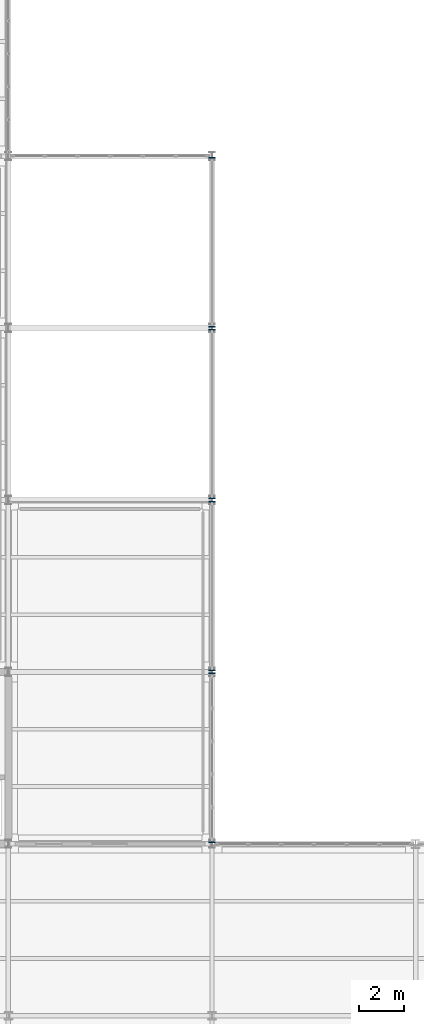
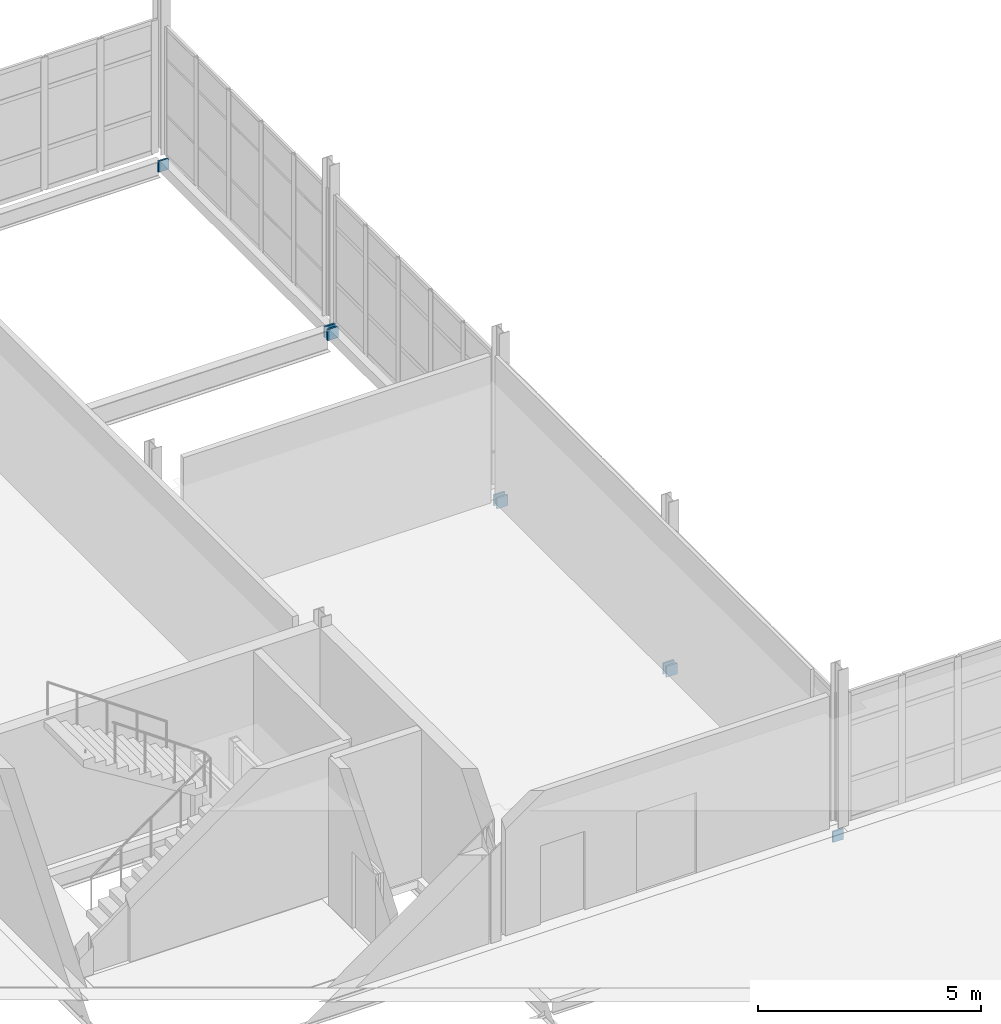
# One storey, part 146 of 174: 8 plates.
"""IFC4 building model written with IfcOpenShell, lengths in metres."""

from ifc_helpers import new_model, si_unit, direction, frame, origin, origin_2d, place, context, subcontext, project, spatial, rectangle, extrude, material, layer, layer_set, type_object, element, save


model = new_model("IFC4")

# Units and contexts
model_context = context("Model", 3, precision=1e-05, world=origin(), true_north=direction((0.0, 1.0)))
body_context = subcontext(model_context, "Body", "Model", "MODEL_VIEW")
ifc_project = project(units=[si_unit("LENGTHUNIT", "METRE"), si_unit("AREAUNIT", "SQUARE_METRE"), si_unit("VOLUMEUNIT", "CUBIC_METRE"), si_unit("PLANEANGLEUNIT", "RADIAN"), si_unit("MASSUNIT", "GRAM", prefix="KILO")], contexts=[model_context])

# Site, building, storey
site_placement = place(None, origin())
site = spatial("IfcSite", under=ifc_project, at=site_placement, CompositionType="ELEMENT")
building_placement = place(site_placement, origin())
building = spatial("IfcBuilding", under=site, at=building_placement, Name="Caisbarro Railhouse Central Library", CompositionType="ELEMENT")
storey_placement = place(building_placement, frame((0.0, 0.0, 5.0400390625)))
storey = spatial("IfcBuildingStorey", under=building, at=storey_placement, Name="L01", CompositionType="ELEMENT", Elevation=5.0400390625)

# Plates
ifc_material = material(Name="Steel ASTM A572 Grade 50", Category="steel")
ifc_layer = layer(ifc_material, 0.044921875, Name="Steel ASTM A572 Grade 50")
ifc_layer_set = layer_set([ifc_layer], Name="Steel ASTM A572 Grade 50")
plate_type = type_object("IfcPlateType", Name="PLT-EP01", PredefinedType="SHEET", material=ifc_layer_set)
for number, where, z_axis, x_axis, name in (
    (1, (72.0, 30.468017578125, -0.52001953125), (0.0, 0.0, 1.0), (0.0, 1.0, 0.0), "EP01 end cap plate"),
    (2, (72.0, 37.931884765625, -0.52001953125), (0.0, 0.0, 1.0), (0.0, 1.0, 0.0), "EP01 end cap plate"),
    (3, (72.0, 38.068115234375, -0.52001953125), (0.0, 0.0, 1.0), (0.0, 1.0, 0.0), "EP01 end cap plate"),
    (4, (72.0, 45.531982421875, -0.52001953125), (0.0, 0.0, 1.0), (0.0, 1.0, 0.0), "EP01 end cap plate"),
    (5, (72.0, 45.66796875, -0.52001953125), (0.0, 0.0, 1.0), (0.0, 1.0, 0.0), "EP01 end cap plate"),
    (6, (72.0, 53.132080078125, -0.52001953125), (0.0, 0.0, 1.0), (0.0, 1.0, 0.0), "EP01 end cap plate"),
    (7, (72.0, 53.26806640625, -0.52001953125), (0.0, 0.0, 1.0), (0.0, 1.0, 0.0), "EP01 end cap plate"),
    (8, (72.0, 60.73193359375, -0.52001953125), (0.0, 0.0, 1.0), (0.0, 1.0, 0.0), "EP01 end cap plate"),
):
    element("IfcPlate", number, at=place(storey_placement, frame(where, z_axis=z_axis, x_axis=x_axis)), inside=storey, type_object=plate_type, Name=name, PredefinedType="SHEET", context=body_context, shape_type="SweptSolid", body=[
        extrude(rectangle(XDim=0.044921875, YDim=0.280029296875, at=origin_2d()), origin(), (0.0, 0.0, 1.0), 0.300048828125),
    ])

save(model, "model.ifc")
